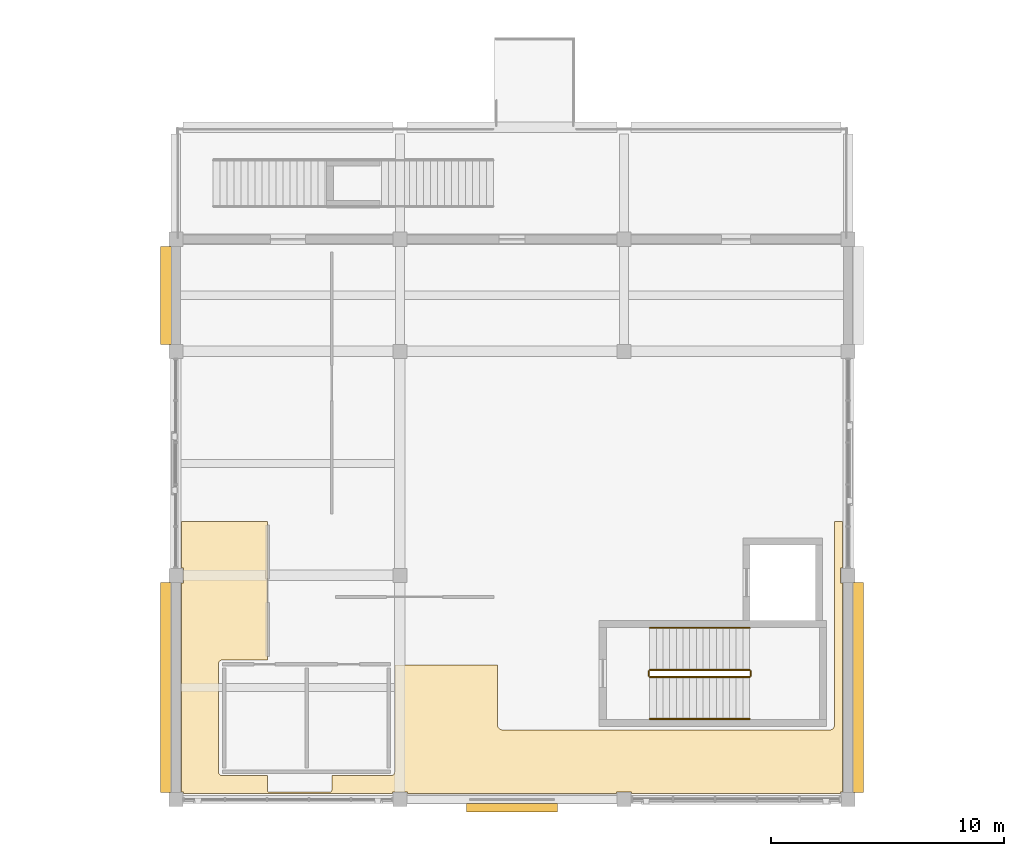
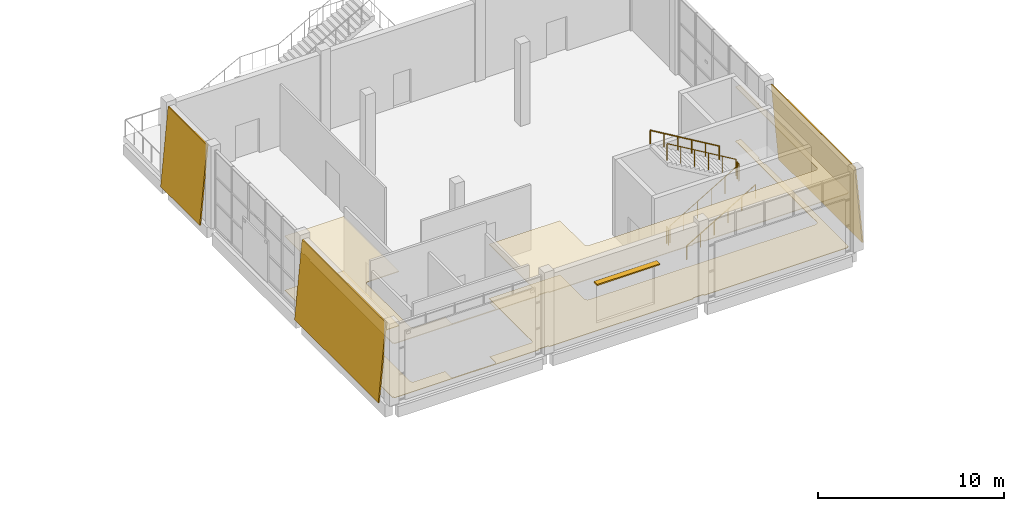
# One storey, part 51 of 57: 6 railings, 5 coverings, 1 shading device.
"""IFC4 building model written with IfcOpenShell, lengths in metres."""

from ifc_helpers import new_model, si_unit, direction, frame, origin, origin_2d, place, context, subcontext, project, spatial, polyline, rectangle, circle, outline, extrude, material, layer, layer_set, type_object, element, save


model = new_model("IFC4")

# Units and contexts
model_context = context("Model", 3, precision=1e-05, world=origin(), true_north=direction((0.0, 1.0)))
body_context = subcontext(model_context, "Body", "Model", "MODEL_VIEW")
ifc_project = project(units=[si_unit("LENGTHUNIT", "METRE"), si_unit("AREAUNIT", "SQUARE_METRE"), si_unit("VOLUMEUNIT", "CUBIC_METRE"), si_unit("PLANEANGLEUNIT", "RADIAN"), si_unit("MASSUNIT", "GRAM", prefix="KILO")], contexts=[model_context])

# Site, building, storey
site_placement = place(None, origin())
site = spatial("IfcSite", under=ifc_project, at=site_placement, CompositionType="ELEMENT")
building_placement = place(site_placement, origin())
building = spatial("IfcBuilding", under=site, at=building_placement, Name="Shalvenor Court Art Gallery", CompositionType="ELEMENT")
storey_placement = place(building_placement, frame((0.0, 0.0, 16.800048828125)))
storey = spatial("IfcBuildingStorey", under=building, at=storey_placement, Name="L03", CompositionType="ELEMENT", Elevation=16.800048828125)

# Coverings
ifc_material_1 = material(Name="Pale Mediterranean limestone cladding", Category="masonry")
ifc_layer_1 = layer(ifc_material_1, 0.080078125, Name="Pale Mediterranean limestone cladding")
ifc_layer_set_1 = layer_set([ifc_layer_1], Name="Pale Mediterranean limestone cladding")
covering_type_1 = type_object("IfcCoveringType", Name="CLD-01", PredefinedType="CLADDING", material=ifc_layer_set_1)
for number, where, z_axis, x_axis, name in (
    (1, (125.4541015625, 0.300048828125, 0.0), (0.0, 0.0, 1.0), (0.0, 1.0, 0.0), "L03 V3 Tapered Limestone Cladding 57"),
    (2, (95.345947265625, 9.300048828125, 0.0), (0.0, 0.0, 1.0), (0.0, -1.0, 0.0), "L03 V3 Tapered Limestone Cladding 58"),
):
    element("IfcCovering", number, at=place(storey_placement, frame(where, z_axis=z_axis, x_axis=x_axis)), inside=storey, type_object=covering_type_1, Name=name, PredefinedType="CLADDING", context=body_context, shape_type="SweptSolid", body=[
        extrude(outline(polyline([(0.0, 0.0), (9.0, 0.0), (9.0, 5.120849609375), (0.0, 5.120849609375), (0.0, 0.0)])), frame((0.0, 0.0, 0.0), z_axis=(0.0, -0.995884398616, 0.090632580198), x_axis=(1.0, 0.0, 0.0)), (0.0, 0.090632580198, -0.995884398616), 0.080322265625),
    ])
covering_1_placement = place(storey_placement, frame((95.345947265625, 23.699951171875, 0.0), z_axis=(0.0, 0.0, 1.0), x_axis=(0.0, -1.0, 0.0)))
element("IfcCovering", 3, at=covering_1_placement, inside=storey, type_object=covering_type_1, Name="L03 V3 Tapered Limestone Cladding 59", PredefinedType="CLADDING", context=body_context, shape_type="SweptSolid", body=[
    extrude(outline(polyline([(0.0, 0.0), (4.199951171875, 0.0), (4.199951171875, 5.120849609375), (0.0, 5.120849609375), (0.0, 0.0)])), frame((0.0, 0.0, 0.0), z_axis=(0.0, -0.995884398616, 0.090632580198), x_axis=(1.0, 0.0, 0.0)), (0.0, 0.090632580198, -0.995884398616), 0.080322265625),
])
ifc_material_2 = material(Name="Perforated acoustic gypsum gallery ceiling", Category="other")
ifc_layer_2 = layer(ifc_material_2, 0.044921875, Name="Perforated acoustic gypsum gallery ceiling")
ifc_layer_set_2 = layer_set([ifc_layer_2], Name="Perforated acoustic gypsum gallery ceiling")
covering_type_2 = type_object("IfcCoveringType", Name="CLG-01", PredefinedType="CEILING", material=ifc_layer_set_2)
covering_2_placement = place(storey_placement, frame((0.0, 0.0, 3.550048828125)))
element("IfcCovering", 4, at=covering_2_placement, inside=storey, type_object=covering_type_2, Name="L03 Sculpture Exhibition Hall Acoustic Ceiling", PredefinedType="CEILING", context=body_context, shape_type="SweptSolid", body=[
    extrude(outline(polyline([(115.52001953125, 0.25), (115.52001953125, 0.320068359375), (114.8798828125, 0.320068359375), (114.8798828125, 0.25), (105.919921875, 0.25), (105.919921875, 0.320068359375), (105.280029296875, 0.320068359375), (105.280029296875, 0.25), (96.320068359375, 0.25), (96.320068359375, 0.320068359375), (96.25, 0.320068359375), (96.25, 9.280029296875), (96.320068359375, 9.280029296875), (96.320068359375, 9.919921875), (96.25, 9.919921875), (96.25, 11.919921875), (99.919921875, 11.919921875), (99.919921875, 5.97998046875), (98.0, 5.97998046875), (97.982421875, 5.97900390625), (97.96484375, 5.9765625), (97.94775390625, 5.97216796875), (97.93115234375, 5.96630859375), (97.9150390625, 5.958740234375), (97.89990234375, 5.94970703125), (97.8857421875, 5.939208984375), (97.872802734375, 5.92724609375), (97.86083984375, 5.914306640625), (97.850341796875, 5.89990234375), (97.84130859375, 5.885009765625), (97.833740234375, 5.868896484375), (97.827880859375, 5.852294921875), (97.823486328125, 5.835205078125), (97.82080078125, 5.817626953125), (97.820068359375, 5.800048828125), (97.820068359375, 1.199951171875), (97.82080078125, 1.182373046875), (97.823486328125, 1.164794921875), (97.827880859375, 1.147705078125), (97.833740234375, 1.131103515625), (97.84130859375, 1.114990234375), (97.850341796875, 1.10009765625), (97.86083984375, 1.085693359375), (97.872802734375, 1.07275390625), (97.8857421875, 1.060791015625), (97.89990234375, 1.05029296875), (97.9150390625, 1.041259765625), (97.93115234375, 1.03369140625), (97.94775390625, 1.02783203125), (97.96484375, 1.0234375), (97.982421875, 1.02099609375), (98.0, 1.02001953125), (99.919921875, 1.02001953125), (99.919921875, 0.39990234375), (99.92041015625, 0.39208984375), (99.92138671875, 0.384521484375), (99.92333984375, 0.376708984375), (99.926025390625, 0.369384765625), (99.929443359375, 0.3623046875), (99.93359375, 0.355712890625), (99.938232421875, 0.34912109375), (99.943359375, 0.343505859375), (99.94921875, 0.338134765625), (99.95556640625, 0.33349609375), (99.96240234375, 0.329345703125), (99.969482421875, 0.326171875), (99.976806640625, 0.323486328125), (99.984375, 0.321533203125), (99.9921875, 0.3203125), (100.0, 0.320068359375), (102.60009765625, 0.320068359375), (102.60791015625, 0.3203125), (102.615478515625, 0.321533203125), (102.623291015625, 0.323486328125), (102.630615234375, 0.326171875), (102.6376953125, 0.329345703125), (102.644287109375, 0.33349609375), (102.65087890625, 0.338134765625), (102.656494140625, 0.343505859375), (102.661865234375, 0.34912109375), (102.66650390625, 0.355712890625), (102.670654296875, 0.3623046875), (102.673828125, 0.369384765625), (102.676513671875, 0.376708984375), (102.678466796875, 0.384521484375), (102.6796875, 0.39208984375), (102.679931640625, 0.39990234375), (102.679931640625, 1.02001953125), (105.199951171875, 1.02001953125), (105.217529296875, 1.02099609375), (105.235107421875, 1.0234375), (105.252197265625, 1.02783203125), (105.268798828125, 1.03369140625), (105.284912109375, 1.041259765625), (105.300048828125, 1.05029296875), (105.314208984375, 1.060791015625), (105.327392578125, 1.07275390625), (105.339111328125, 1.085693359375), (105.349609375, 1.10009765625), (105.358642578125, 1.114990234375), (105.3662109375, 1.131103515625), (105.372314453125, 1.147705078125), (105.37646484375, 1.164794921875), (105.379150390625, 1.182373046875), (105.3798828125, 1.199951171875), (105.3798828125, 5.77001953125), (109.780029296875, 5.77001953125), (109.780029296875, 3.199951171875), (109.781005859375, 3.178466796875), (109.7841796875, 3.156982421875), (109.78955078125, 3.135986328125), (109.796630859375, 3.11572265625), (109.805908203125, 3.09619140625), (109.817138671875, 3.077880859375), (109.829833984375, 3.060302734375), (109.844482421875, 3.04443359375), (109.8603515625, 3.02978515625), (109.877685546875, 3.01708984375), (109.896240234375, 3.006103515625), (109.915771484375, 2.99658203125), (109.93603515625, 2.989501953125), (109.95703125, 2.984130859375), (109.978515625, 2.981201171875), (110.0, 2.97998046875), (124.0, 2.97998046875), (124.021484375, 2.981201171875), (124.04296875, 2.984130859375), (124.06396484375, 2.989501953125), (124.084228515625, 2.99658203125), (124.103759765625, 3.006103515625), (124.122314453125, 3.01708984375), (124.1396484375, 3.02978515625), (124.155517578125, 3.04443359375), (124.170166015625, 3.060302734375), (124.182861328125, 3.077880859375), (124.194091796875, 3.09619140625), (124.203369140625, 3.11572265625), (124.21044921875, 3.135986328125), (124.2158203125, 3.156982421875), (124.218994140625, 3.178466796875), (124.219970703125, 3.199951171875), (124.219970703125, 11.919921875), (124.550048828125, 11.919921875), (124.550048828125, 9.919921875), (124.47998046875, 9.919921875), (124.47998046875, 9.280029296875), (124.550048828125, 9.280029296875), (124.550048828125, 0.320068359375), (124.47998046875, 0.320068359375), (124.47998046875, 0.25), (115.52001953125, 0.25)])), origin(), (0.0, 0.0, 1.0), 0.044921875),
])
ifc_material_3 = material(Name="Quarter-sawn white oak gallery flooring", Category="wood")
ifc_layer_3 = layer(ifc_material_3, 0.031982421875, Name="Quarter-sawn white oak gallery flooring")
ifc_layer_set_3 = layer_set([ifc_layer_3], Name="Quarter-sawn white oak gallery flooring")
covering_type_3 = type_object("IfcCoveringType", Name="FLR-02", PredefinedType="FLOORING", material=ifc_layer_set_3)
covering_3_placement = place(storey_placement, origin())
element("IfcCovering", 5, at=covering_3_placement, inside=storey, type_object=covering_type_3, Name="L03 Sculpture Exhibition Hall Flooring", PredefinedType="FLOORING", context=body_context, shape_type="SweptSolid", body=[
    extrude(outline(polyline([(115.52001953125, 0.25), (115.52001953125, 0.320068359375), (114.8798828125, 0.320068359375), (114.8798828125, 0.25), (105.919921875, 0.25), (105.919921875, 0.320068359375), (105.280029296875, 0.320068359375), (105.280029296875, 0.25), (96.320068359375, 0.25), (96.320068359375, 0.320068359375), (96.25, 0.320068359375), (96.25, 9.280029296875), (96.320068359375, 9.280029296875), (96.320068359375, 9.919921875), (96.25, 9.919921875), (96.25, 11.919921875), (99.919921875, 11.919921875), (99.919921875, 5.97998046875), (98.0, 5.97998046875), (97.982421875, 5.97900390625), (97.96484375, 5.9765625), (97.94775390625, 5.97216796875), (97.93115234375, 5.96630859375), (97.9150390625, 5.958740234375), (97.89990234375, 5.94970703125), (97.8857421875, 5.939208984375), (97.872802734375, 5.92724609375), (97.86083984375, 5.914306640625), (97.850341796875, 5.89990234375), (97.84130859375, 5.885009765625), (97.833740234375, 5.868896484375), (97.827880859375, 5.852294921875), (97.823486328125, 5.835205078125), (97.82080078125, 5.817626953125), (97.820068359375, 5.800048828125), (97.820068359375, 1.199951171875), (97.82080078125, 1.182373046875), (97.823486328125, 1.164794921875), (97.827880859375, 1.147705078125), (97.833740234375, 1.131103515625), (97.84130859375, 1.114990234375), (97.850341796875, 1.10009765625), (97.86083984375, 1.085693359375), (97.872802734375, 1.07275390625), (97.8857421875, 1.060791015625), (97.89990234375, 1.05029296875), (97.9150390625, 1.041259765625), (97.93115234375, 1.03369140625), (97.94775390625, 1.02783203125), (97.96484375, 1.0234375), (97.982421875, 1.02099609375), (98.0, 1.02001953125), (99.919921875, 1.02001953125), (99.919921875, 0.39990234375), (99.92041015625, 0.39208984375), (99.92138671875, 0.384521484375), (99.92333984375, 0.376708984375), (99.926025390625, 0.369384765625), (99.929443359375, 0.3623046875), (99.93359375, 0.355712890625), (99.938232421875, 0.34912109375), (99.943359375, 0.343505859375), (99.94921875, 0.338134765625), (99.95556640625, 0.33349609375), (99.96240234375, 0.329345703125), (99.969482421875, 0.326171875), (99.976806640625, 0.323486328125), (99.984375, 0.321533203125), (99.9921875, 0.3203125), (100.0, 0.320068359375), (102.60009765625, 0.320068359375), (102.60791015625, 0.3203125), (102.615478515625, 0.321533203125), (102.623291015625, 0.323486328125), (102.630615234375, 0.326171875), (102.6376953125, 0.329345703125), (102.644287109375, 0.33349609375), (102.65087890625, 0.338134765625), (102.656494140625, 0.343505859375), (102.661865234375, 0.34912109375), (102.66650390625, 0.355712890625), (102.670654296875, 0.3623046875), (102.673828125, 0.369384765625), (102.676513671875, 0.376708984375), (102.678466796875, 0.384521484375), (102.6796875, 0.39208984375), (102.679931640625, 0.39990234375), (102.679931640625, 1.02001953125), (105.199951171875, 1.02001953125), (105.217529296875, 1.02099609375), (105.235107421875, 1.0234375), (105.252197265625, 1.02783203125), (105.268798828125, 1.03369140625), (105.284912109375, 1.041259765625), (105.300048828125, 1.05029296875), (105.314208984375, 1.060791015625), (105.327392578125, 1.07275390625), (105.339111328125, 1.085693359375), (105.349609375, 1.10009765625), (105.358642578125, 1.114990234375), (105.3662109375, 1.131103515625), (105.372314453125, 1.147705078125), (105.37646484375, 1.164794921875), (105.379150390625, 1.182373046875), (105.3798828125, 1.199951171875), (105.3798828125, 5.77001953125), (109.780029296875, 5.77001953125), (109.780029296875, 3.199951171875), (109.781005859375, 3.178466796875), (109.7841796875, 3.156982421875), (109.78955078125, 3.135986328125), (109.796630859375, 3.11572265625), (109.805908203125, 3.09619140625), (109.817138671875, 3.077880859375), (109.829833984375, 3.060302734375), (109.844482421875, 3.04443359375), (109.8603515625, 3.02978515625), (109.877685546875, 3.01708984375), (109.896240234375, 3.006103515625), (109.915771484375, 2.99658203125), (109.93603515625, 2.989501953125), (109.95703125, 2.984130859375), (109.978515625, 2.981201171875), (110.0, 2.97998046875), (124.0, 2.97998046875), (124.021484375, 2.981201171875), (124.04296875, 2.984130859375), (124.06396484375, 2.989501953125), (124.084228515625, 2.99658203125), (124.103759765625, 3.006103515625), (124.122314453125, 3.01708984375), (124.1396484375, 3.02978515625), (124.155517578125, 3.04443359375), (124.170166015625, 3.060302734375), (124.182861328125, 3.077880859375), (124.194091796875, 3.09619140625), (124.203369140625, 3.11572265625), (124.21044921875, 3.135986328125), (124.2158203125, 3.156982421875), (124.218994140625, 3.178466796875), (124.219970703125, 3.199951171875), (124.219970703125, 11.919921875), (124.550048828125, 11.919921875), (124.550048828125, 9.919921875), (124.47998046875, 9.919921875), (124.47998046875, 9.280029296875), (124.550048828125, 9.280029296875), (124.550048828125, 0.320068359375), (124.47998046875, 0.320068359375), (124.47998046875, 0.25), (115.52001953125, 0.25)])), origin(), (0.0, 0.0, 1.0), 0.031982421875),
])

# Railings
ifc_material_4 = material(Name="Painted steel post-and-rail guard", Category="steel")
railing_type_1 = type_object("IfcRailingType", Name="GR-02", PredefinedType="GUARDRAIL", material=ifc_material_4)
railing_1_placement = place(storey_placement, frame((116.300048828125, 5.25, 0.168701171875)))
element("IfcRailing", 6, at=railing_1_placement, inside=storey, type_object=railing_type_1, Name="L03 ST-04 Stair Guard 1", PredefinedType="GUARDRAIL", context=body_context, shape_type="SweptSolid", body=[
    extrude(circle(Radius=0.02392578125, at=origin_2d()), frame((0.0, 0.0, 1.09619140625), z_axis=(0.860470286479, 0.0, 0.509500624227), x_axis=(0.0, 1.0, 0.0)), (0.0, 0.0, 1.0), 4.968017578125),
    extrude(circle(Radius=0.02099609375, at=origin_2d()), origin(), (0.0, 0.0, 1.0), 1.072021484375),
    extrude(circle(Radius=0.02099609375, at=origin_2d()), frame((0.85498046875, 0.0, 0.50634765625)), (0.0, 0.0, 1.0), 1.072021484375),
    extrude(circle(Radius=0.02099609375, at=origin_2d()), frame((1.7099609375, 0.0, 1.012451171875)), (0.0, 0.0, 1.0), 1.072021484375),
    extrude(circle(Radius=0.02099609375, at=origin_2d()), frame((2.56494140625, 0.0, 1.518798828125)), (0.0, 0.0, 1.0), 1.072021484375),
    extrude(circle(Radius=0.02099609375, at=origin_2d()), frame((3.419921875, 0.0, 2.02490234375)), (0.0, 0.0, 1.0), 1.072021484375),
    extrude(circle(Radius=0.02099609375, at=origin_2d()), frame((4.27490234375, 0.0, 2.53125)), (0.0, 0.0, 1.0), 1.072021484375),
])
railing_2_placement = place(storey_placement, frame((120.625, 5.300048828125, 2.699951171875)))
element("IfcRailing", 7, at=railing_2_placement, inside=storey, type_object=railing_type_1, Name="L03 ST-04 Stair Guard 2", PredefinedType="GUARDRAIL", context=body_context, shape_type="SweptSolid", body=[
    extrude(circle(Radius=0.02392578125, at=origin_2d()), frame((0.0, 0.0, 1.09619140625), z_axis=(0.0, 1.0, 0.0), x_axis=(-1.0, 0.0, 0.0)), (0.0, 0.0, 1.0), 0.199951171875),
    extrude(circle(Radius=0.02099609375, at=origin_2d()), origin(), (0.0, 0.0, 1.0), 1.072021484375),
    extrude(circle(Radius=0.02099609375, at=origin_2d()), frame((0.0, 0.199951171875, 0.0)), (0.0, 0.0, 1.0), 1.072021484375),
])
railing_3_placement = place(storey_placement, frame((120.574951171875, 5.550048828125, 2.86865234375)))
element("IfcRailing", 8, at=railing_3_placement, inside=storey, type_object=railing_type_1, Name="L03 ST-04 Stair Guard 3", PredefinedType="GUARDRAIL", context=body_context, shape_type="SweptSolid", body=[
    extrude(circle(Radius=0.02392578125, at=origin_2d()), frame((0.0, 0.0, 1.09619140625), z_axis=(-0.860470286479, 0.0, 0.509500624227), x_axis=(0.0, -1.0, 0.0)), (0.0, 0.0, 1.0), 4.968017578125),
    extrude(circle(Radius=0.02099609375, at=origin_2d()), origin(), (0.0, 0.0, 1.0), 1.072021484375),
    extrude(circle(Radius=0.02099609375, at=origin_2d()), frame((-0.85498046875, 0.0, 0.50634765625)), (0.0, 0.0, 1.0), 1.072021484375),
    extrude(circle(Radius=0.02099609375, at=origin_2d()), frame((-1.7099609375, 0.0, 1.012451171875)), (0.0, 0.0, 1.0), 1.072021484375),
    extrude(circle(Radius=0.02099609375, at=origin_2d()), frame((-2.56494140625, 0.0, 1.518798828125)), (0.0, 0.0, 1.0), 1.072021484375),
    extrude(circle(Radius=0.02099609375, at=origin_2d()), frame((-3.419921875, 0.0, 2.02490234375)), (0.0, 0.0, 1.0), 1.072021484375),
    extrude(circle(Radius=0.02099609375, at=origin_2d()), frame((-4.27490234375, 0.0, 2.53125)), (0.0, 0.0, 1.0), 1.072021484375),
])
railing_4_placement = place(storey_placement, frame((116.25, 5.300048828125, 0.0)))
element("IfcRailing", 9, at=railing_4_placement, inside=storey, type_object=railing_type_1, Name="L03 ST-04 Stair Guard 4", PredefinedType="GUARDRAIL", context=body_context, shape_type="SweptSolid", body=[
    extrude(circle(Radius=0.02392578125, at=origin_2d()), frame((0.0, 0.0, 1.09619140625), z_axis=(0.0, 1.0, 0.0), x_axis=(-1.0, 0.0, 0.0)), (0.0, 0.0, 1.0), 0.199951171875),
    extrude(circle(Radius=0.02099609375, at=origin_2d()), origin(), (0.0, 0.0, 1.0), 1.072021484375),
    extrude(circle(Radius=0.02099609375, at=origin_2d()), frame((0.0, 0.199951171875, 0.0)), (0.0, 0.0, 1.0), 1.072021484375),
])
ifc_material_5 = material(Name="Brushed stainless steel handrail", Category="steel")
railing_type_2 = type_object("IfcRailingType", Name="HR-01", PredefinedType="HANDRAIL", material=ifc_material_5)
railing_5_placement = place(storey_placement, frame((116.300048828125, 3.449951171875, 0.168701171875)))
element("IfcRailing", 10, at=railing_5_placement, inside=storey, type_object=railing_type_2, Name="L03 ST-04 Stair Handrail 1", PredefinedType="HANDRAIL", context=body_context, shape_type="SweptSolid", body=[
    extrude(circle(Radius=0.02392578125, at=origin_2d()), frame((0.0, 0.0, 0.8759765625), z_axis=(0.860470286479, 0.0, 0.509500624227), x_axis=(0.0, 1.0, 0.0)), (0.0, 0.0, 1.0), 4.968017578125),
    extrude(circle(Radius=0.02099609375, at=origin_2d()), origin(), (0.0, 0.0, 1.0), 0.851806640625),
    extrude(circle(Radius=0.02099609375, at=origin_2d()), frame((0.85498046875, 0.0, 0.50634765625)), (0.0, 0.0, 1.0), 0.851806640625),
    extrude(circle(Radius=0.02099609375, at=origin_2d()), frame((1.7099609375, 0.0, 1.012451171875)), (0.0, 0.0, 1.0), 0.851806640625),
    extrude(circle(Radius=0.02099609375, at=origin_2d()), frame((2.56494140625, 0.0, 1.518798828125)), (0.0, 0.0, 1.0), 0.851806640625),
    extrude(circle(Radius=0.02099609375, at=origin_2d()), frame((3.419921875, 0.0, 2.02490234375)), (0.0, 0.0, 1.0), 0.851806640625),
    extrude(circle(Radius=0.02099609375, at=origin_2d()), frame((4.27490234375, 0.0, 2.53125)), (0.0, 0.0, 1.0), 0.851806640625),
])
railing_6_placement = place(storey_placement, frame((120.574951171875, 7.35009765625, 2.86865234375)))
element("IfcRailing", 11, at=railing_6_placement, inside=storey, type_object=railing_type_2, Name="L03 ST-04 Stair Handrail 2", PredefinedType="HANDRAIL", context=body_context, shape_type="SweptSolid", body=[
    extrude(circle(Radius=0.02392578125, at=origin_2d()), frame((0.0, 0.0, 0.8759765625), z_axis=(-0.860470286479, 0.0, 0.509500624227), x_axis=(0.0, -1.0, 0.0)), (0.0, 0.0, 1.0), 4.968017578125),
    extrude(circle(Radius=0.02099609375, at=origin_2d()), origin(), (0.0, 0.0, 1.0), 0.851806640625),
    extrude(circle(Radius=0.02099609375, at=origin_2d()), frame((-0.85498046875, 0.0, 0.50634765625)), (0.0, 0.0, 1.0), 0.851806640625),
    extrude(circle(Radius=0.02099609375, at=origin_2d()), frame((-1.7099609375, 0.0, 1.012451171875)), (0.0, 0.0, 1.0), 0.851806640625),
    extrude(circle(Radius=0.02099609375, at=origin_2d()), frame((-2.56494140625, 0.0, 1.518798828125)), (0.0, 0.0, 1.0), 0.851806640625),
    extrude(circle(Radius=0.02099609375, at=origin_2d()), frame((-3.419921875, 0.0, 2.02490234375)), (0.0, 0.0, 1.0), 0.851806640625),
    extrude(circle(Radius=0.02099609375, at=origin_2d()), frame((-4.27490234375, 0.0, 2.53125)), (0.0, 0.0, 1.0), 0.851806640625),
])

# Shading device
ifc_material_6 = material(Name="Dark anodised bronze aluminium louvre", Category="aluminium")
shading_device_type = type_object("IfcShadingDeviceType", Name="SHD-01", PredefinedType="JALOUSIE", material=ifc_material_6)
shading_device_placement = place(storey_placement, frame((110.39990234375, -0.35009765625, 3.599853515625), z_axis=(0.0, 0.0, 1.0), x_axis=(-1.0, 0.0, 0.0)))
element("IfcShadingDevice", 12, at=shading_device_placement, inside=storey, type_object=shading_device_type, Name="L03 Koushi Window Sunshade 54", PredefinedType="JALOUSIE", context=body_context, shape_type="SweptSolid", body=[
    extrude(rectangle(XDim=3.89990234375, YDim=0.360107421875, at=origin_2d()), origin(), (0.0, 0.0, 1.0), 0.080078125),
])

save(model, "model.ifc")
